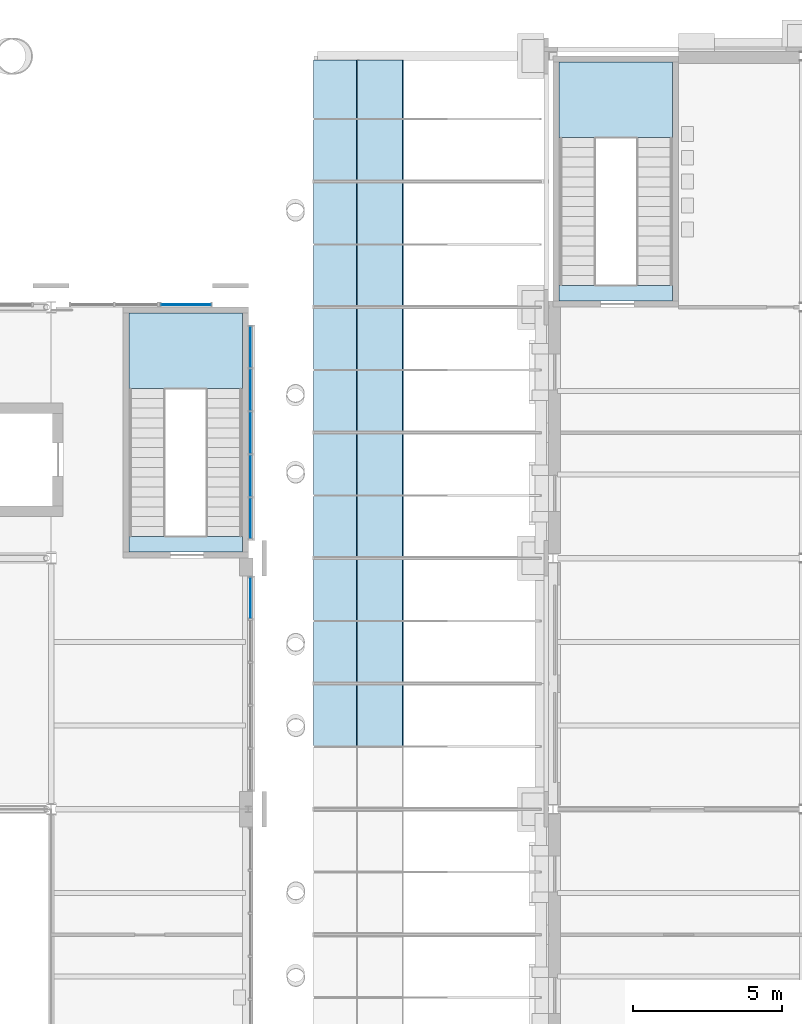
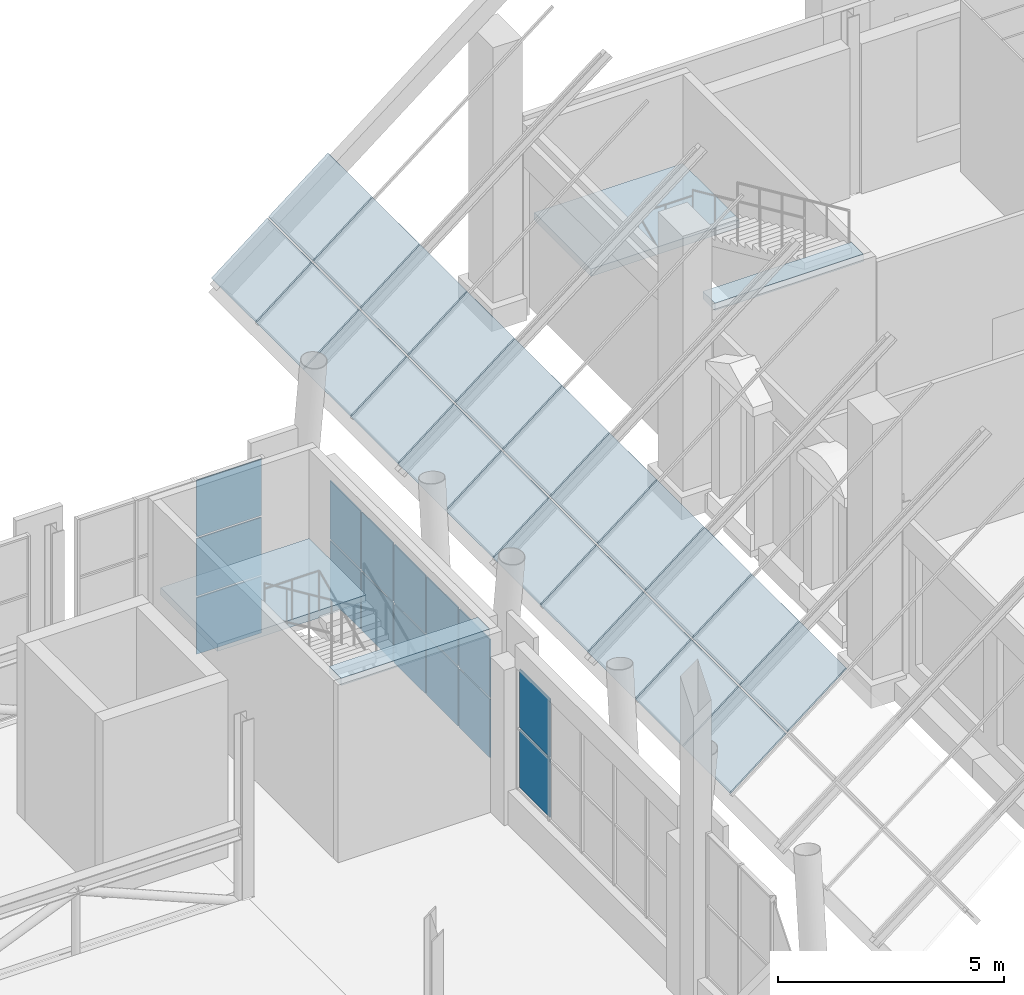
# One storey, part 45 of 76: 37 plates, 4 slabs, 5 elements without a shape of their own.
"""IFC4 building model written with IfcOpenShell, lengths in metres."""

from ifc_helpers import new_model, si_unit, direction, frame, origin, origin_2d, place, context, subcontext, project, spatial, polyline, rectangle, outline, extrude, material, layer, layer_set, type_object, element, aggregate, save


model = new_model("IFC4")

# Units and contexts
model_context = context("Model", 3, precision=1e-05, world=origin(), true_north=direction((0.0, 1.0)))
body_context = subcontext(model_context, "Body", "Model", "MODEL_VIEW")
ifc_project = project(units=[si_unit("LENGTHUNIT", "METRE"), si_unit("AREAUNIT", "SQUARE_METRE"), si_unit("VOLUMEUNIT", "CUBIC_METRE"), si_unit("PLANEANGLEUNIT", "RADIAN"), si_unit("MASSUNIT", "GRAM", prefix="KILO")], contexts=[model_context])

# Site, building, storey
site_placement = place(None, origin())
site = spatial("IfcSite", under=ifc_project, at=site_placement, CompositionType="ELEMENT")
building_placement = place(site_placement, origin())
building = spatial("IfcBuilding", under=site, at=building_placement, Name="Sava Quay Ferry Terminal", CompositionType="ELEMENT")
storey_placement = place(building_placement, frame((0.0, 0.0, 6.0)))
storey = spatial("IfcBuildingStorey", under=building, at=storey_placement, Name="L01", CompositionType="ELEMENT", Elevation=6.0)

# Curtain wall, plates
ifc_material_1 = material(Name="Aluminium and glass curtain wall, double low-e glazed", Category="aluminium")
curtain_wall_type_1 = type_object("IfcCurtainWallType", Name="Curtain wall CW-F flank", PredefinedType="NOTDEFINED", material=ifc_material_1)
curtain_wall_1_placement = place(storey_placement, origin())
curtain_wall_1 = element("IfcCurtainWall", 1, at=curtain_wall_1_placement, inside=storey, type_object=curtain_wall_type_1, Name="Curtain wall D-E L01 bay 5", PredefinedType="NOTDEFINED")
ifc_material_2 = material(Name="Laminated glass, double low-e glazed unit", Category="glass")
ifc_layer_1 = layer(ifc_material_2, 0.028076171875)
ifc_layer_set_1 = layer_set([ifc_layer_1], Name="Laminated glass, double low-e glazed unit")
plate_type_1 = type_object("IfcPlateType", Name="Glass panel 28 double low-e", PredefinedType="CURTAIN_PANEL", material=ifc_layer_set_1)
plate_1_placement = place(storey_placement, frame((82.27490234375, 91.06494140625, 0.9501953125), z_axis=(0.0, 0.0, 1.0), x_axis=(0.0, 1.0, 0.0)))
plate_1 = element("IfcPlate", 2, at=plate_1_placement, type_object=plate_type_1, Name="CW52 panel 5.1", PredefinedType="CURTAIN_PANEL", context=body_context, shape_type="SweptSolid", body=[
    extrude(rectangle(XDim=1.35009765625, YDim=0.028076171875, at=origin_2d()), origin(), (0.0, 0.0, 1.0), 1.574951171875),
])
plate_2_placement = place(storey_placement, frame((82.27490234375, 91.06494140625, 2.5751953125), z_axis=(0.0, 0.0, 1.0), x_axis=(0.0, 1.0, 0.0)))
plate_2 = element("IfcPlate", 3, at=plate_2_placement, type_object=plate_type_1, Name="CW52 panel 5.2", PredefinedType="CURTAIN_PANEL", context=body_context, shape_type="SweptSolid", body=[
    extrude(rectangle(XDim=1.35009765625, YDim=0.028076171875, at=origin_2d()), origin(), (0.0, 0.0, 1.0), 1.574951171875),
])
aggregate(curtain_wall_1, [plate_1, plate_2])

curtain_wall_2_placement = place(storey_placement, origin())
curtain_wall_2 = element("IfcCurtainWall", 4, at=curtain_wall_2_placement, inside=storey, type_object=curtain_wall_type_1, Name="Curtain wall D-E L01 bay 6", PredefinedType="NOTDEFINED")
plate_3_placement = place(storey_placement, frame((82.27490234375, 93.735107421875, 0.9501953125), z_axis=(0.0, 0.0, 1.0), x_axis=(0.0, 1.0, 0.0)))
plate_3 = element("IfcPlate", 5, at=plate_3_placement, type_object=plate_type_1, Name="CW53 panel 1.1", PredefinedType="CURTAIN_PANEL", context=body_context, shape_type="SweptSolid", body=[
    extrude(rectangle(XDim=1.35009765625, YDim=0.028076171875, at=origin_2d()), origin(), (0.0, 0.0, 1.0), 1.574951171875),
])
plate_4_placement = place(storey_placement, frame((82.27490234375, 93.735107421875, 2.5751953125), z_axis=(0.0, 0.0, 1.0), x_axis=(0.0, 1.0, 0.0)))
plate_4 = element("IfcPlate", 6, at=plate_4_placement, type_object=plate_type_1, Name="CW53 panel 1.2", PredefinedType="CURTAIN_PANEL", context=body_context, shape_type="SweptSolid", body=[
    extrude(rectangle(XDim=1.35009765625, YDim=0.028076171875, at=origin_2d()), origin(), (0.0, 0.0, 1.0), 1.574951171875),
])
plate_5_placement = place(storey_placement, frame((82.27490234375, 95.159912109375, 0.9501953125), z_axis=(0.0, 0.0, 1.0), x_axis=(0.0, 1.0, 0.0)))
plate_5 = element("IfcPlate", 7, at=plate_5_placement, type_object=plate_type_1, Name="CW53 panel 2.1", PredefinedType="CURTAIN_PANEL", context=body_context, shape_type="SweptSolid", body=[
    extrude(rectangle(XDim=1.3798828125, YDim=0.028076171875, at=origin_2d()), origin(), (0.0, 0.0, 1.0), 1.574951171875),
])
plate_6_placement = place(storey_placement, frame((82.27490234375, 95.159912109375, 2.5751953125), z_axis=(0.0, 0.0, 1.0), x_axis=(0.0, 1.0, 0.0)))
plate_6 = element("IfcPlate", 8, at=plate_6_placement, type_object=plate_type_1, Name="CW53 panel 2.2", PredefinedType="CURTAIN_PANEL", context=body_context, shape_type="SweptSolid", body=[
    extrude(rectangle(XDim=1.3798828125, YDim=0.028076171875, at=origin_2d()), origin(), (0.0, 0.0, 1.0), 1.574951171875),
])
plate_7_placement = place(storey_placement, frame((82.27490234375, 96.60009765625, 0.9501953125), z_axis=(0.0, 0.0, 1.0), x_axis=(0.0, 1.0, 0.0)))
plate_7 = element("IfcPlate", 9, at=plate_7_placement, type_object=plate_type_1, Name="CW53 panel 3.1", PredefinedType="CURTAIN_PANEL", context=body_context, shape_type="SweptSolid", body=[
    extrude(rectangle(XDim=1.3798828125, YDim=0.028076171875, at=origin_2d()), origin(), (0.0, 0.0, 1.0), 1.574951171875),
])
plate_8_placement = place(storey_placement, frame((82.27490234375, 96.60009765625, 2.5751953125), z_axis=(0.0, 0.0, 1.0), x_axis=(0.0, 1.0, 0.0)))
plate_8 = element("IfcPlate", 10, at=plate_8_placement, type_object=plate_type_1, Name="CW53 panel 3.2", PredefinedType="CURTAIN_PANEL", context=body_context, shape_type="SweptSolid", body=[
    extrude(rectangle(XDim=1.3798828125, YDim=0.028076171875, at=origin_2d()), origin(), (0.0, 0.0, 1.0), 1.574951171875),
])
plate_9_placement = place(storey_placement, frame((82.27490234375, 98.0400390625, 0.9501953125), z_axis=(0.0, 0.0, 1.0), x_axis=(0.0, 1.0, 0.0)))
plate_9 = element("IfcPlate", 11, at=plate_9_placement, type_object=plate_type_1, Name="CW53 panel 4.1", PredefinedType="CURTAIN_PANEL", context=body_context, shape_type="SweptSolid", body=[
    extrude(rectangle(XDim=1.3798828125, YDim=0.028076171875, at=origin_2d()), origin(), (0.0, 0.0, 1.0), 1.574951171875),
])
plate_10_placement = place(storey_placement, frame((82.27490234375, 98.0400390625, 2.5751953125), z_axis=(0.0, 0.0, 1.0), x_axis=(0.0, 1.0, 0.0)))
plate_10 = element("IfcPlate", 12, at=plate_10_placement, type_object=plate_type_1, Name="CW53 panel 4.2", PredefinedType="CURTAIN_PANEL", context=body_context, shape_type="SweptSolid", body=[
    extrude(rectangle(XDim=1.3798828125, YDim=0.028076171875, at=origin_2d()), origin(), (0.0, 0.0, 1.0), 1.574951171875),
])
plate_11_placement = place(storey_placement, frame((82.27490234375, 99.465087890625, 0.9501953125), z_axis=(0.0, 0.0, 1.0), x_axis=(0.0, 1.0, 0.0)))
plate_11 = element("IfcPlate", 13, at=plate_11_placement, type_object=plate_type_1, Name="CW53 panel 5.1", PredefinedType="CURTAIN_PANEL", context=body_context, shape_type="SweptSolid", body=[
    extrude(rectangle(XDim=1.35009765625, YDim=0.028076171875, at=origin_2d()), origin(), (0.0, 0.0, 1.0), 1.574951171875),
])
plate_12_placement = place(storey_placement, frame((82.27490234375, 99.465087890625, 2.5751953125), z_axis=(0.0, 0.0, 1.0), x_axis=(0.0, 1.0, 0.0)))
plate_12 = element("IfcPlate", 14, at=plate_12_placement, type_object=plate_type_1, Name="CW53 panel 5.2", PredefinedType="CURTAIN_PANEL", context=body_context, shape_type="SweptSolid", body=[
    extrude(rectangle(XDim=1.35009765625, YDim=0.028076171875, at=origin_2d()), origin(), (0.0, 0.0, 1.0), 1.574951171875),
])
aggregate(curtain_wall_2, [plate_3, plate_4, plate_5, plate_6, plate_7, plate_8, plate_9, plate_10, plate_11, plate_12])

ifc_material_3 = material(Name="Aluminium and glass curtain wall, double low-e glazed", Category="aluminium")
curtain_wall_type_2 = type_object("IfcCurtainWallType", Name="Curtain wall CW-G gable", PredefinedType="NOTDEFINED", material=ifc_material_3)
curtain_wall_3_placement = place(storey_placement, origin())
curtain_wall_3 = element("IfcCurtainWall", 15, at=curtain_wall_3_placement, inside=storey, type_object=curtain_wall_type_2, Name="Curtain wall D-N L01 bay 61", PredefinedType="NOTDEFINED")
plate_13_placement = place(storey_placement, frame((80.110107421875, 100.885009765625, 0.050048828125), z_axis=(0.0, 0.0, 1.0), x_axis=(1.0, 0.0, 0.0)))
plate_13 = element("IfcPlate", 16, at=plate_13_placement, type_object=plate_type_1, Name="CW86 panel 1.1", PredefinedType="CURTAIN_PANEL", context=body_context, shape_type="SweptSolid", body=[
    extrude(rectangle(XDim=1.659912109375, YDim=0.028076171875, at=origin_2d()), origin(), (0.0, 0.0, 1.0), 1.52490234375),
])
plate_14_placement = place(storey_placement, frame((80.110107421875, 100.885009765625, 1.625), z_axis=(0.0, 0.0, 1.0), x_axis=(1.0, 0.0, 0.0)))
plate_14 = element("IfcPlate", 17, at=plate_14_placement, type_object=plate_type_1, Name="CW86 panel 1.2", PredefinedType="CURTAIN_PANEL", context=body_context, shape_type="SweptSolid", body=[
    extrude(rectangle(XDim=1.659912109375, YDim=0.028076171875, at=origin_2d()), origin(), (0.0, 0.0, 1.0), 1.550048828125),
])
plate_15_placement = place(storey_placement, frame((80.110107421875, 100.885009765625, 3.22509765625), z_axis=(0.0, 0.0, 1.0), x_axis=(1.0, 0.0, 0.0)))
plate_15 = element("IfcPlate", 18, at=plate_15_placement, type_object=plate_type_1, Name="CW86 panel 1.3", PredefinedType="CURTAIN_PANEL", context=body_context, shape_type="SweptSolid", body=[
    extrude(rectangle(XDim=1.659912109375, YDim=0.028076171875, at=origin_2d()), origin(), (0.0, 0.0, 1.0), 1.52490234375),
])
aggregate(curtain_wall_3, [plate_13, plate_14, plate_15])

# Plates
ifc_material_4 = material(Name="Laminated glass", Category="glass")
ifc_layer_2 = layer(ifc_material_4, 0.0400390625)
ifc_layer_set_2 = layer_set([ifc_layer_2], Name="Laminated glass")
plate_type_2 = type_object("IfcPlateType", Name="Skylight glass 40", PredefinedType="SHEET", material=ifc_layer_set_2)
plate_16_placement = place(storey_placement, frame((85.814453125, 107.1201171875, 4.5869140625), z_axis=(-0.617821551932, 0.0, 0.786318338822), x_axis=(-0.786318338822, 0.0, -0.617821551932)))
element("IfcPlate", 19, at=plate_16_placement, inside=storey, type_object=plate_type_2, Name="Passage roof glass PS-F-K0.0", PredefinedType="SHEET", context=body_context, shape_type="SweptSolid", body=[
    extrude(outline(polyline([(0.0, 0.0), (1.8169625035575465, 0.0), (1.8169625035575465, -1.945556640625), (0.0, -1.945556640625), (0.0, 0.0)])), origin(), (0.0, 0.0, -1.0), 0.0400390625),
])
plate_17_placement = place(storey_placement, frame((87.364501953125, 107.1201171875, 5.8046875), z_axis=(-0.617810385509, 0.0, 0.786327112312), x_axis=(-0.786327112312, 0.0, -0.617810385509)))
element("IfcPlate", 20, at=plate_17_placement, inside=storey, type_object=plate_type_2, Name="Passage roof glass PS-F-K0.1", PredefinedType="SHEET", context=body_context, shape_type="SweptSolid", body=[
    extrude(outline(polyline([(0.0, 0.0), (1.9311997052158885, 0.0), (1.9311997052158885, -1.945556640625), (0.0, -1.945556640625), (0.0, 0.0)])), origin(), (0.0, 0.0, -1.0), 0.0400390625),
])
plate_18_placement = place(storey_placement, frame((85.814453125, 107.080078125, 4.5869140625), z_axis=(-0.617821551932, 0.0, 0.786318338822), x_axis=(0.0, -1.0, 0.0)))
element("IfcPlate", 21, at=plate_18_placement, inside=storey, type_object=plate_type_2, Name="Passage roof glass PS-F-K1.0", PredefinedType="SHEET", context=body_context, shape_type="SweptSolid", body=[
    extrude(outline(polyline([(0.0, 0.0), (2.06005859375, 0.0), (2.06005859375, -1.8169625035575463), (0.0, -1.8169625035575463), (0.0, 0.0)])), origin(), (0.0, 0.0, -1.0), 0.0400390625),
])
plate_19_placement = place(storey_placement, frame((85.845947265625, 107.080078125, 4.611572265625), z_axis=(-0.617810385509, 0.0, 0.786327112312), x_axis=(0.786327112312, 0.0, 0.617810385509)))
element("IfcPlate", 22, at=plate_19_placement, inside=storey, type_object=plate_type_2, Name="Passage roof glass PS-F-K1.1", PredefinedType="SHEET", context=body_context, shape_type="SweptSolid", body=[
    extrude(outline(polyline([(0.0, 0.0), (1.9311997052158885, 0.0), (1.9311997052158885, -2.06005859375), (0.0, -2.06005859375), (0.0, 0.0)])), origin(), (0.0, 0.0, -1.0), 0.0400390625),
])
plate_20_placement = place(storey_placement, frame((85.814453125, 104.97998046875, 4.5869140625), z_axis=(-0.617821551932, 0.0, 0.786318338822), x_axis=(0.0, -1.0, 0.0)))
element("IfcPlate", 23, at=plate_20_placement, inside=storey, type_object=plate_type_2, Name="Passage roof glass PS-F-K2.0", PredefinedType="SHEET", context=body_context, shape_type="SweptSolid", body=[
    extrude(outline(polyline([(0.0, 0.0), (2.06005859375, 0.0), (2.06005859375, -1.8169625035575463), (0.0, -1.8169625035575463), (0.0, 0.0)])), origin(), (0.0, 0.0, -1.0), 0.0400390625),
])
plate_21_placement = place(storey_placement, frame((85.845947265625, 104.97998046875, 4.611572265625), z_axis=(-0.617810385509, 0.0, 0.786327112312), x_axis=(0.786327112312, 0.0, 0.617810385509)))
element("IfcPlate", 24, at=plate_21_placement, inside=storey, type_object=plate_type_2, Name="Passage roof glass PS-F-K2.1", PredefinedType="SHEET", context=body_context, shape_type="SweptSolid", body=[
    extrude(outline(polyline([(0.0, 0.0), (1.9311997052158885, 0.0), (1.9311997052158885, -2.06005859375), (0.0, -2.06005859375), (0.0, 0.0)])), origin(), (0.0, 0.0, -1.0), 0.0400390625),
])
plate_22_placement = place(storey_placement, frame((85.814453125, 102.8798828125, 4.5869140625), z_axis=(-0.617821551932, 0.0, 0.786318338822), x_axis=(0.0, -1.0, 0.0)))
element("IfcPlate", 25, at=plate_22_placement, inside=storey, type_object=plate_type_2, Name="Passage roof glass PS-F-K3.0", PredefinedType="SHEET", context=body_context, shape_type="SweptSolid", body=[
    extrude(outline(polyline([(0.0, 0.0), (2.059814453125, 0.0), (2.059814453125, -1.816962503557546), (0.0, -1.816962503557546), (0.0, 0.0)])), origin(), (0.0, 0.0, -1.0), 0.0400390625),
])
plate_23_placement = place(storey_placement, frame((85.845947265625, 102.8798828125, 4.611572265625), z_axis=(-0.617810385509, 0.0, 0.786327112312), x_axis=(0.786327112312, 0.0, 0.617810385509)))
element("IfcPlate", 26, at=plate_23_placement, inside=storey, type_object=plate_type_2, Name="Passage roof glass PS-F-K3.1", PredefinedType="SHEET", context=body_context, shape_type="SweptSolid", body=[
    extrude(outline(polyline([(0.0, 0.0), (1.9311997052158885, 0.0), (1.9311997052158885, -2.059814453125), (0.0, -2.059814453125), (0.0, 0.0)])), origin(), (0.0, 0.0, -1.0), 0.0400390625),
])
plate_24_placement = place(storey_placement, frame((85.814453125, 100.780029296875, 4.5869140625), z_axis=(-0.617821551932, 0.0, 0.786318338822), x_axis=(0.0, -1.0, 0.0)))
element("IfcPlate", 27, at=plate_24_placement, inside=storey, type_object=plate_type_2, Name="Passage roof glass PS-F-K4.0", PredefinedType="SHEET", context=body_context, shape_type="SweptSolid", body=[
    extrude(outline(polyline([(0.0, 0.0), (2.06005859375, 0.0), (2.06005859375, -1.8169625035575463), (0.0, -1.8169625035575463), (0.0, 0.0)])), origin(), (0.0, 0.0, -1.0), 0.0400390625),
])
plate_25_placement = place(storey_placement, frame((85.845947265625, 100.780029296875, 4.611572265625), z_axis=(-0.617810385509, 0.0, 0.786327112312), x_axis=(0.786327112312, 0.0, 0.617810385509)))
element("IfcPlate", 28, at=plate_25_placement, inside=storey, type_object=plate_type_2, Name="Passage roof glass PS-F-K4.1", PredefinedType="SHEET", context=body_context, shape_type="SweptSolid", body=[
    extrude(outline(polyline([(0.0, 0.0), (1.9311997052158885, 0.0), (1.9311997052158885, -2.06005859375), (0.0, -2.06005859375), (0.0, 0.0)])), origin(), (0.0, 0.0, -1.0), 0.0400390625),
])
plate_26_placement = place(storey_placement, frame((85.814453125, 98.679931640625, 4.5869140625), z_axis=(-0.617821551932, 0.0, 0.786318338822), x_axis=(0.0, -1.0, 0.0)))
element("IfcPlate", 29, at=plate_26_placement, inside=storey, type_object=plate_type_2, Name="Passage roof glass PS-F-K5.0", PredefinedType="SHEET", context=body_context, shape_type="SweptSolid", body=[
    extrude(outline(polyline([(0.0, 0.0), (2.059814453125, 0.0), (2.059814453125, -1.816962503557546), (0.0, -1.816962503557546), (0.0, 0.0)])), origin(), (0.0, 0.0, -1.0), 0.0400390625),
])
plate_27_placement = place(storey_placement, frame((85.845947265625, 98.679931640625, 4.611572265625), z_axis=(-0.617810385509, 0.0, 0.786327112312), x_axis=(0.786327112312, 0.0, 0.617810385509)))
element("IfcPlate", 30, at=plate_27_placement, inside=storey, type_object=plate_type_2, Name="Passage roof glass PS-F-K5.1", PredefinedType="SHEET", context=body_context, shape_type="SweptSolid", body=[
    extrude(outline(polyline([(0.0, 0.0), (1.9311997052158885, 0.0), (1.9311997052158885, -2.059814453125), (0.0, -2.059814453125), (0.0, 0.0)])), origin(), (0.0, 0.0, -1.0), 0.0400390625),
])
plate_28_placement = place(storey_placement, frame((85.814453125, 96.580078125, 4.5869140625), z_axis=(-0.617821551932, 0.0, 0.786318338822), x_axis=(0.0, -1.0, 0.0)))
element("IfcPlate", 31, at=plate_28_placement, inside=storey, type_object=plate_type_2, Name="Passage roof glass PS-F-K6.0", PredefinedType="SHEET", context=body_context, shape_type="SweptSolid", body=[
    extrude(outline(polyline([(0.0, 0.0), (2.06005859375, 0.0), (2.06005859375, -1.8169625035575463), (0.0, -1.8169625035575463), (0.0, 0.0)])), origin(), (0.0, 0.0, -1.0), 0.0400390625),
])
plate_29_placement = place(storey_placement, frame((85.845947265625, 96.580078125, 4.611572265625), z_axis=(-0.617810385509, 0.0, 0.786327112312), x_axis=(0.786327112312, 0.0, 0.617810385509)))
element("IfcPlate", 32, at=plate_29_placement, inside=storey, type_object=plate_type_2, Name="Passage roof glass PS-F-K6.1", PredefinedType="SHEET", context=body_context, shape_type="SweptSolid", body=[
    extrude(outline(polyline([(0.0, 0.0), (1.9311997052158885, 0.0), (1.9311997052158885, -2.06005859375), (0.0, -2.06005859375), (0.0, 0.0)])), origin(), (0.0, 0.0, -1.0), 0.0400390625),
])
plate_30_placement = place(storey_placement, frame((85.814453125, 94.47998046875, 4.5869140625), z_axis=(-0.617821551932, 0.0, 0.786318338822), x_axis=(0.0, -1.0, 0.0)))
element("IfcPlate", 33, at=plate_30_placement, inside=storey, type_object=plate_type_2, Name="Passage roof glass PS-F-K7.0", PredefinedType="SHEET", context=body_context, shape_type="SweptSolid", body=[
    extrude(outline(polyline([(0.0, 0.0), (2.06005859375, 0.0), (2.06005859375, -1.8169625035575463), (0.0, -1.8169625035575463), (0.0, 0.0)])), origin(), (0.0, 0.0, -1.0), 0.0400390625),
])
plate_31_placement = place(storey_placement, frame((85.845947265625, 94.47998046875, 4.611572265625), z_axis=(-0.617810385509, 0.0, 0.786327112312), x_axis=(0.786327112312, 0.0, 0.617810385509)))
element("IfcPlate", 34, at=plate_31_placement, inside=storey, type_object=plate_type_2, Name="Passage roof glass PS-F-K7.1", PredefinedType="SHEET", context=body_context, shape_type="SweptSolid", body=[
    extrude(outline(polyline([(0.0, 0.0), (1.9311997052158885, 0.0), (1.9311997052158885, -2.06005859375), (0.0, -2.06005859375), (0.0, 0.0)])), origin(), (0.0, 0.0, -1.0), 0.0400390625),
])
plate_32_placement = place(storey_placement, frame((85.814453125, 92.3798828125, 4.5869140625), z_axis=(-0.617821551932, 0.0, 0.786318338822), x_axis=(0.0, -1.0, 0.0)))
element("IfcPlate", 35, at=plate_32_placement, inside=storey, type_object=plate_type_2, Name="Passage roof glass PS-F-K8.0", PredefinedType="SHEET", context=body_context, shape_type="SweptSolid", body=[
    extrude(outline(polyline([(0.0, 0.0), (2.059814453125, 0.0), (2.059814453125, -1.816962503557546), (0.0, -1.816962503557546), (0.0, 0.0)])), origin(), (0.0, 0.0, -1.0), 0.0400390625),
])
plate_33_placement = place(storey_placement, frame((85.845947265625, 92.3798828125, 4.611572265625), z_axis=(-0.617810385509, 0.0, 0.786327112312), x_axis=(0.786327112312, 0.0, 0.617810385509)))
element("IfcPlate", 36, at=plate_33_placement, inside=storey, type_object=plate_type_2, Name="Passage roof glass PS-F-K8.1", PredefinedType="SHEET", context=body_context, shape_type="SweptSolid", body=[
    extrude(outline(polyline([(0.0, 0.0), (1.9311997052158885, 0.0), (1.9311997052158885, -2.059814453125), (0.0, -2.059814453125), (0.0, 0.0)])), origin(), (0.0, 0.0, -1.0), 0.0400390625),
])
plate_34_placement = place(storey_placement, frame((85.814453125, 90.280029296875, 4.5869140625), z_axis=(-0.617821551932, 0.0, 0.786318338822), x_axis=(0.0, -1.0, 0.0)))
element("IfcPlate", 37, at=plate_34_placement, inside=storey, type_object=plate_type_2, Name="Passage roof glass PS-F-K9.0", PredefinedType="SHEET", context=body_context, shape_type="SweptSolid", body=[
    extrude(outline(polyline([(0.0, 0.0), (2.06005859375, 0.0), (2.06005859375, -1.8169625035575463), (0.0, -1.8169625035575463), (0.0, 0.0)])), origin(), (0.0, 0.0, -1.0), 0.0400390625),
])
plate_35_placement = place(storey_placement, frame((85.845947265625, 90.280029296875, 4.611572265625), z_axis=(-0.617810385509, 0.0, 0.786327112312), x_axis=(0.786327112312, 0.0, 0.617810385509)))
element("IfcPlate", 38, at=plate_35_placement, inside=storey, type_object=plate_type_2, Name="Passage roof glass PS-F-K9.1", PredefinedType="SHEET", context=body_context, shape_type="SweptSolid", body=[
    extrude(outline(polyline([(0.0, 0.0), (1.9311997052158885, 0.0), (1.9311997052158885, -2.06005859375), (0.0, -2.06005859375), (0.0, 0.0)])), origin(), (0.0, 0.0, -1.0), 0.0400390625),
])
plate_36_placement = place(storey_placement, frame((85.814453125, 88.179931640625, 4.5869140625), z_axis=(-0.617821551932, 0.0, 0.786318338822), x_axis=(0.0, -1.0, 0.0)))
element("IfcPlate", 39, at=plate_36_placement, inside=storey, type_object=plate_type_2, Name="Passage roof glass PS-F-K10.0", PredefinedType="SHEET", context=body_context, shape_type="SweptSolid", body=[
    extrude(outline(polyline([(0.0, 0.0), (2.059814453125, 0.0), (2.059814453125, -1.816962503557546), (0.0, -1.816962503557546), (0.0, 0.0)])), origin(), (0.0, 0.0, -1.0), 0.0400390625),
])
plate_37_placement = place(storey_placement, frame((85.845947265625, 88.179931640625, 4.611572265625), z_axis=(-0.617810385509, 0.0, 0.786327112312), x_axis=(0.786327112312, 0.0, 0.617810385509)))
element("IfcPlate", 40, at=plate_37_placement, inside=storey, type_object=plate_type_2, Name="Passage roof glass PS-F-K10.1", PredefinedType="SHEET", context=body_context, shape_type="SweptSolid", body=[
    extrude(outline(polyline([(0.0, 0.0), (1.9311997052158885, 0.0), (1.9311997052158885, -2.059814453125), (0.0, -2.059814453125), (0.0, 0.0)])), origin(), (0.0, 0.0, -1.0), 0.0400390625),
])

# Stair, slab
ifc_material_5 = material(Name="Concrete C30/37", Category="concrete")
stair_type = type_object("IfcStairType", Name="Stair 1200 half landing", PredefinedType="HALF_TURN_STAIR", material=ifc_material_5)
stair_1_placement = place(storey_placement, origin())
stair_1 = element("IfcStair", 41, at=stair_1_placement, inside=storey, type_object=stair_type, Name="Stair ST-D6 L01", PredefinedType="HALF_TURN_STAIR")
ifc_material_6 = material(Name="Concrete C30/37", Category="concrete")
ifc_layer_3 = layer(ifc_material_6, 0.199951171875)
ifc_layer_set_3 = layer_set([ifc_layer_3], Name="Concrete C30/37")
slab_type_1 = type_object("IfcSlabType", Name="Stair head floor 200", PredefinedType="FLOOR", material=ifc_layer_set_3)
slab_1_placement = place(storey_placement, frame((0.0, 0.0, 4.60009765625)))
slab_1 = element("IfcSlab", 42, at=slab_1_placement, type_object=slab_type_1, Name="ST-D6 head floor L02", PredefinedType="FLOOR", context=body_context, shape_type="SweptSolid", body=[
    extrude(outline(polyline([(78.199951171875, 92.60009765625), (78.199951171875, 93.1298828125), (82.0, 93.1298828125), (82.0, 92.60009765625), (78.199951171875, 92.60009765625)])), origin(), (0.0, 0.0, 1.0), 0.199951171875),
])

stair_2_placement = place(storey_placement, origin())
stair_2 = element("IfcStair", 43, at=stair_2_placement, inside=storey, type_object=stair_type, Name="Stair ST-O3 L01", PredefinedType="HALF_TURN_STAIR")
slab_2_placement = place(storey_placement, frame((0.0, 0.0, 4.60009765625)))
slab_2 = element("IfcSlab", 44, at=slab_2_placement, type_object=slab_type_1, Name="ST-O3 head floor L02", PredefinedType="FLOOR", context=body_context, shape_type="SweptSolid", body=[
    extrude(outline(polyline([(92.60009765625, 101.0), (92.60009765625, 101.530029296875), (96.39990234375, 101.530029296875), (96.39990234375, 101.0), (92.60009765625, 101.0)])), origin(), (0.0, 0.0, 1.0), 0.199951171875),
])

# Slab
ifc_material_7 = material(Name="Concrete C30/37", Category="concrete")
ifc_layer_4 = layer(ifc_material_7, 0.199951171875)
ifc_layer_set_4 = layer_set([ifc_layer_4], Name="Concrete C30/37")
slab_type_2 = type_object("IfcSlabType", Name="Stair landing 200", PredefinedType="LANDING", material=ifc_layer_set_4)
slab_3_placement = place(storey_placement, frame((0.0, 0.0, 2.199951171875)))
slab_3 = element("IfcSlab", 45, at=slab_3_placement, type_object=slab_type_2, Name="ST-D6 landing 1", PredefinedType="LANDING", context=body_context, shape_type="SweptSolid", body=[
    extrude(outline(polyline([(78.199951171875, 98.080078125), (78.199951171875, 100.60009765625), (82.0, 100.60009765625), (82.0, 98.080078125), (78.199951171875, 98.080078125)])), origin(), (0.0, 0.0, 1.0), 0.199951171875),
])

aggregate(stair_1, [slab_3, slab_1])

slab_4_placement = place(storey_placement, frame((0.0, 0.0, 2.199951171875)))
slab_4 = element("IfcSlab", 46, at=slab_4_placement, type_object=slab_type_2, Name="ST-O3 landing 1", PredefinedType="LANDING", context=body_context, shape_type="SweptSolid", body=[
    extrude(outline(polyline([(92.60009765625, 106.47998046875), (92.60009765625, 109.0), (96.39990234375, 109.0), (96.39990234375, 106.47998046875), (92.60009765625, 106.47998046875)])), origin(), (0.0, 0.0, 1.0), 0.199951171875),
])

aggregate(stair_2, [slab_4, slab_2])

save(model, "model.ifc")
